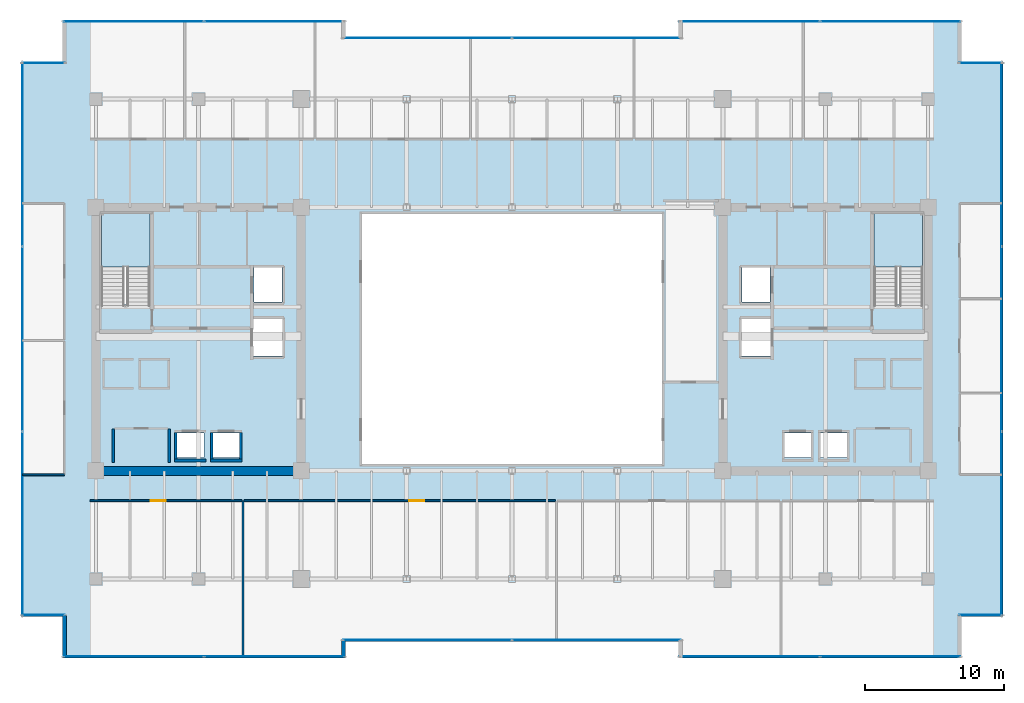
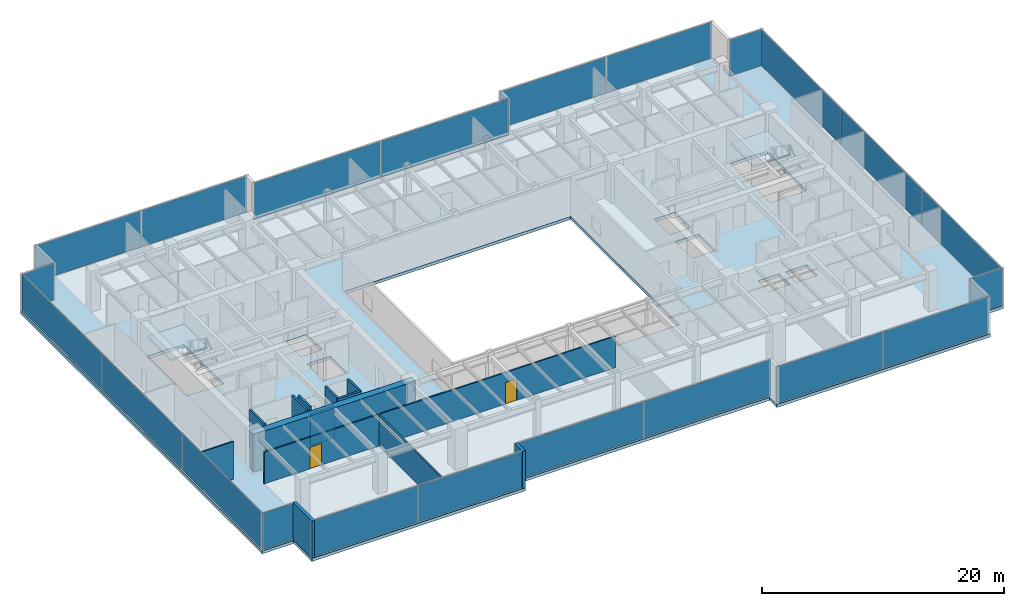
# One storey, part 24 of 33: 22 plates, 14 walls, 3 slabs, 2 doors, 2 openings, 14 elements without a shape of their own.
"""IFC4 building model written with IfcOpenShell, lengths in metres."""

from ifc_helpers import new_model, si_unit, direction, frame, frame_2d, origin, origin_2d, place, context, subcontext, project, spatial, polyline, rectangle, outline, extrude, source, transform, mapped, material, layer, layer_set, type_object, type_shapes, element, fill, aggregate, save


model = new_model("IFC4")

# Units and contexts
model_context = context("Model", 3, precision=1e-05, world=origin(), true_north=direction((0.0, 1.0)))
body_context = subcontext(model_context, "Body", "Model", "MODEL_VIEW")
ifc_project = project(units=[si_unit("LENGTHUNIT", "METRE"), si_unit("AREAUNIT", "SQUARE_METRE"), si_unit("VOLUMEUNIT", "CUBIC_METRE"), si_unit("PLANEANGLEUNIT", "RADIAN"), si_unit("MASSUNIT", "GRAM", prefix="KILO")], contexts=[model_context])

# Site, building, storey
site_placement = place(None, origin())
site = spatial("IfcSite", under=ifc_project, at=site_placement, CompositionType="ELEMENT")
building_placement = place(site_placement, origin())
building = spatial("IfcBuilding", under=site, at=building_placement, Name="Haelvirn Gate Laboratories", CompositionType="ELEMENT")
storey_placement = place(building_placement, frame((0.0, 0.0, 166.60009765625)))
storey = spatial("IfcBuildingStorey", under=building, at=storey_placement, Name="L40", CompositionType="ELEMENT", Elevation=166.60009765625)

# Stair, slab
ifc_material_1 = material(Name="Concrete C40/50", Category="concrete")
stair_type = type_object("IfcStairType", Name="ST-DOG-1650-R22", PredefinedType="HALF_TURN_STAIR", material=ifc_material_1)
stair_1_placement = place(storey_placement, origin())
stair_1 = element("IfcStair", 1, at=stair_1_placement, inside=storey, type_object=stair_type, Name="L40 Escape Stair ST1", PredefinedType="HALF_TURN_STAIR")
ifc_layer_1 = layer(ifc_material_1, 0.199951171875, Name="SL-STAIR-LND")
ifc_layer_set_1 = layer_set([ifc_layer_1], Name="Concrete C40/50")
slab_type_1 = type_object("IfcSlabType", Name="SL-STAIR-LND", PredefinedType="LANDING", material=ifc_layer_set_1)
slab_1_placement = place(storey_placement, frame((0.0, 0.0, 1.849853515625)))
slab_1 = element("IfcSlab", 2, at=slab_1_placement, type_object=slab_type_1, Name="ST1 landing 1", PredefinedType="LANDING", context=body_context, shape_type="SweptSolid", body=[
    extrude(outline(polyline([(11.300048828125, 29.5), (11.300048828125, 33.35009765625), (7.800048828125, 33.35009765625), (7.800048828125, 29.5), (11.300048828125, 29.5)])), origin(), (0.0, 0.0, 1.0), 0.199951171875),
])
aggregate(stair_1, [slab_1])

stair_2_placement = place(storey_placement, origin())
stair_2 = element("IfcStair", 3, at=stair_2_placement, inside=storey, type_object=stair_type, Name="L40 Escape Stair ST2", PredefinedType="HALF_TURN_STAIR")
slab_2_placement = place(storey_placement, frame((0.0, 0.0, 1.849853515625)))
slab_2 = element("IfcSlab", 4, at=slab_2_placement, type_object=slab_type_1, Name="ST2 landing 1", PredefinedType="LANDING", context=body_context, shape_type="SweptSolid", body=[
    extrude(outline(polyline([(67.0, 29.5), (67.0, 33.35009765625), (63.5, 33.35009765625), (63.5, 29.5), (67.0, 29.5)])), origin(), (0.0, 0.0, 1.0), 0.199951171875),
])
aggregate(stair_2, [slab_2])

# Slab
ifc_layer_2 = layer(ifc_material_1, 0.31005859375, Name="SL-Z2-310")
ifc_layer_set_2 = layer_set([ifc_layer_2], Name="Concrete C40/50")
slab_type_2 = type_object("IfcSlabType", Name="SL-Z2-310", PredefinedType="FLOOR", material=ifc_layer_set_2)
slab_3_placement = place(storey_placement, frame((0.0, 0.0, -0.31005859375)))
element("IfcSlab", 5, at=slab_3_placement, inside=storey, type_object=slab_type_2, Name="L40 Structural Slab MAIN", PredefinedType="FLOOR", context=body_context, shape_type="SweptSolid", body=[
    extrude(outline(polyline([(5.0, 1.300048828125), (25.39990234375, 1.300048828125), (25.39990234375, 2.5), (49.39990234375, 2.5), (49.39990234375, 1.300048828125), (69.800048828125, 1.300048828125), (69.800048828125, 4.300048828125), (72.800048828125, 4.300048828125), (72.800048828125, 44.300048828125), (69.800048828125, 44.300048828125), (69.800048828125, 47.300048828125), (49.39990234375, 47.300048828125), (49.39990234375, 46.10009765625), (25.39990234375, 46.10009765625), (25.39990234375, 47.300048828125), (5.0, 47.300048828125), (5.0, 44.300048828125), (2.0, 44.300048828125), (2.0, 4.300048828125), (5.0, 4.300048828125), (5.0, 1.300048828125)]), holes=[polyline([(26.60009765625, 15.300048828125), (48.199951171875, 15.300048828125), (48.199951171875, 33.300048828125), (26.60009765625, 33.300048828125), (26.60009765625, 15.300048828125)]), polyline([(11.300048828125, 26.780029296875), (11.300048828125, 33.35009765625), (7.800048828125, 33.35009765625), (7.800048828125, 26.780029296875), (11.300048828125, 26.780029296875)]), polyline([(67.0, 26.780029296875), (67.0, 33.35009765625), (63.5, 33.35009765625), (63.5, 26.780029296875), (67.0, 26.780029296875)]), polyline([(13.18994140625, 15.77001953125), (15.2099609375, 15.77001953125), (15.2099609375, 17.510009765625), (13.18994140625, 17.510009765625), (13.18994140625, 15.77001953125)]), polyline([(15.7900390625, 15.77001953125), (17.81005859375, 15.77001953125), (17.81005859375, 17.510009765625), (15.7900390625, 17.510009765625), (15.7900390625, 15.77001953125)]), polyline([(18.7900390625, 26.969970703125), (20.81005859375, 26.969970703125), (20.81005859375, 29.510009765625), (18.7900390625, 29.510009765625), (18.7900390625, 26.969970703125)]), polyline([(18.68994140625, 23.070068359375), (20.909912109375, 23.070068359375), (20.909912109375, 25.81005859375), (18.68994140625, 25.81005859375), (18.68994140625, 23.070068359375)]), polyline([(59.590087890625, 15.77001953125), (61.610107421875, 15.77001953125), (61.610107421875, 17.510009765625), (59.590087890625, 17.510009765625), (59.590087890625, 15.77001953125)]), polyline([(56.989990234375, 15.77001953125), (59.010009765625, 15.77001953125), (59.010009765625, 17.510009765625), (56.989990234375, 17.510009765625), (56.989990234375, 15.77001953125)]), polyline([(53.989990234375, 26.969970703125), (56.010009765625, 26.969970703125), (56.010009765625, 29.510009765625), (53.989990234375, 29.510009765625), (53.989990234375, 26.969970703125)]), polyline([(53.889892578125, 23.070068359375), (56.110107421875, 23.070068359375), (56.110107421875, 25.81005859375), (53.889892578125, 25.81005859375), (53.889892578125, 23.070068359375)])]), origin(), (0.0, 0.0, 1.0), 0.31005859375),
])

# Curtain wall, plates
ifc_material_2 = material(Name="Anodised bronze unitised aluminium & triple low-E glass", Category="aluminium")
ifc_layer_3 = layer(ifc_material_2, 0.179931640625, Name="CW-SYS-3")
ifc_layer_set_3 = layer_set([ifc_layer_3], Name="Anodised bronze unitised aluminium & triple low-E glass")
curtain_wall_type_1 = type_object("IfcCurtainWallType", Name="CW-SYS-3", PredefinedType="NOTDEFINED", material=ifc_layer_set_3)
curtain_wall_1_placement = place(storey_placement, origin())
curtain_wall_1 = element("IfcCurtainWall", 6, at=curtain_wall_1_placement, inside=storey, type_object=curtain_wall_type_1, Name="L40 Unitised Curtain Wall CW-L40-P0-E00-1", PredefinedType="NOTDEFINED")
ifc_material_3 = material(Name="High-selectivity bronze triple IGU 40 mm", Category="glass")
ifc_layer_4 = layer(ifc_material_3, 0.0400390625, Name="CWP-IGU-40")
ifc_layer_set_4 = layer_set([ifc_layer_4], Name="High-selectivity bronze triple IGU 40 mm")
plate_type_1 = type_object("IfcPlateType", Name="CWP-IGU-40", PredefinedType="CURTAIN_PANEL", material=ifc_layer_set_4)
shared_shape_1 = source(origin(), body_context, "Body", "SweptSolid", [
    extrude(rectangle(XDim=10.08740234375, YDim=0.0400390625, at=origin_2d()), origin(), (0.0, 0.0, 1.0), 3.659912109375),
])
plate_1_placement = place(storey_placement, frame((10.11865234375, 1.39990234375, 0.06494140625), z_axis=(0.0, 0.0, 1.0), x_axis=(1.0, 0.0, 0.0)))
plate_1 = element("IfcPlate", 7, at=plate_1_placement, type_object=plate_type_1, Name="CW3 panel 1.1", PredefinedType="CURTAIN_PANEL", context=body_context, shape_type="MappedRepresentation", body=[
    mapped(shared_shape_1, transform((0.0, 0.0, 0.0), scale=1.0)),
])
plate_2_placement = place(storey_placement, frame((20.28125, 1.39990234375, 0.06494140625), z_axis=(0.0, 0.0, 1.0), x_axis=(1.0, 0.0, 0.0)))
plate_2 = element("IfcPlate", 8, at=plate_2_placement, type_object=plate_type_1, Name="CW3 panel 2.1", PredefinedType="CURTAIN_PANEL", context=body_context, shape_type="MappedRepresentation", body=[
    mapped(shared_shape_1, transform((0.0, 0.0, 0.0), scale=1.0)),
])
aggregate(curtain_wall_1, [plate_1, plate_2])

curtain_wall_2_placement = place(storey_placement, origin())
curtain_wall_2 = element("IfcCurtainWall", 9, at=curtain_wall_2_placement, inside=storey, type_object=curtain_wall_type_1, Name="L40 Unitised Curtain Wall CW-L40-P0-E04-1", PredefinedType="NOTDEFINED")
plate_3_placement = place(storey_placement, frame((54.518798828125, 1.39990234375, 0.06494140625), z_axis=(0.0, 0.0, 1.0), x_axis=(1.0, 0.0, 0.0)))
plate_3 = element("IfcPlate", 10, at=plate_3_placement, type_object=plate_type_1, Name="CW3 panel 1.1", PredefinedType="CURTAIN_PANEL", context=body_context, shape_type="MappedRepresentation", body=[
    mapped(shared_shape_1, transform((0.0, 0.0, 0.0), scale=1.0)),
])
plate_4_placement = place(storey_placement, frame((64.68115234375, 1.39990234375, 0.06494140625), z_axis=(0.0, 0.0, 1.0), x_axis=(1.0, 0.0, 0.0)))
plate_4 = element("IfcPlate", 11, at=plate_4_placement, type_object=plate_type_1, Name="CW3 panel 2.1", PredefinedType="CURTAIN_PANEL", context=body_context, shape_type="MappedRepresentation", body=[
    mapped(shared_shape_1, transform((0.0, 0.0, 0.0), scale=1.0)),
])
aggregate(curtain_wall_2, [plate_3, plate_4])

curtain_wall_3_placement = place(storey_placement, origin())
curtain_wall_3 = element("IfcCurtainWall", 12, at=curtain_wall_3_placement, inside=storey, type_object=curtain_wall_type_1, Name="L40 Unitised Curtain Wall CW-L40-P0-E10-1", PredefinedType="NOTDEFINED")
plate_5_placement = place(storey_placement, frame((54.518798828125, 47.199951171875, 0.06494140625), z_axis=(0.0, 0.0, 1.0), x_axis=(1.0, 0.0, 0.0)))
plate_5 = element("IfcPlate", 13, at=plate_5_placement, type_object=plate_type_1, Name="CW3 panel 1.1", PredefinedType="CURTAIN_PANEL", context=body_context, shape_type="MappedRepresentation", body=[
    mapped(shared_shape_1, transform((0.0, 0.0, 0.0), scale=1.0)),
])
plate_6_placement = place(storey_placement, frame((64.68115234375, 47.199951171875, 0.06494140625), z_axis=(0.0, 0.0, 1.0), x_axis=(1.0, 0.0, 0.0)))
plate_6 = element("IfcPlate", 14, at=plate_6_placement, type_object=plate_type_1, Name="CW3 panel 2.1", PredefinedType="CURTAIN_PANEL", context=body_context, shape_type="MappedRepresentation", body=[
    mapped(shared_shape_1, transform((0.0, 0.0, 0.0), scale=1.0)),
])
aggregate(curtain_wall_3, [plate_5, plate_6])

curtain_wall_4_placement = place(storey_placement, origin())
curtain_wall_4 = element("IfcCurtainWall", 15, at=curtain_wall_4_placement, inside=storey, type_object=curtain_wall_type_1, Name="L40 Unitised Curtain Wall CW-L40-P0-E14-1", PredefinedType="NOTDEFINED")
plate_7_placement = place(storey_placement, frame((10.11865234375, 47.199951171875, 0.06494140625), z_axis=(0.0, 0.0, 1.0), x_axis=(1.0, 0.0, 0.0)))
plate_7 = element("IfcPlate", 16, at=plate_7_placement, type_object=plate_type_1, Name="CW3 panel 1.1", PredefinedType="CURTAIN_PANEL", context=body_context, shape_type="MappedRepresentation", body=[
    mapped(shared_shape_1, transform((0.0, 0.0, 0.0), scale=1.0)),
])
plate_8_placement = place(storey_placement, frame((20.28125, 47.199951171875, 0.06494140625), z_axis=(0.0, 0.0, 1.0), x_axis=(1.0, 0.0, 0.0)))
plate_8 = element("IfcPlate", 17, at=plate_8_placement, type_object=plate_type_1, Name="CW3 panel 2.1", PredefinedType="CURTAIN_PANEL", context=body_context, shape_type="MappedRepresentation", body=[
    mapped(shared_shape_1, transform((0.0, 0.0, 0.0), scale=1.0)),
])
aggregate(curtain_wall_4, [plate_7, plate_8])

curtain_wall_5_placement = place(storey_placement, origin())
curtain_wall_5 = element("IfcCurtainWall", 18, at=curtain_wall_5_placement, inside=storey, type_object=curtain_wall_type_1, Name="L40 Unitised Curtain Wall CW-L40-P0-E02-1", PredefinedType="NOTDEFINED")
shared_shape_2 = source(origin(), body_context, "Body", "SweptSolid", [
    extrude(rectangle(XDim=12.12744140625, YDim=0.0400390625, at=origin_2d()), origin(), (0.0, 0.0, 1.0), 3.659912109375),
])
plate_9_placement = place(storey_placement, frame((31.298828125, 2.60009765625, 0.06494140625), z_axis=(0.0, 0.0, 1.0), x_axis=(1.0, 0.0, 0.0)))
plate_9 = element("IfcPlate", 19, at=plate_9_placement, type_object=plate_type_1, Name="CW3 panel 1.1", PredefinedType="CURTAIN_PANEL", context=body_context, shape_type="MappedRepresentation", body=[
    mapped(shared_shape_2, transform((0.0, 0.0, 0.0), scale=1.0)),
])
plate_10_placement = place(storey_placement, frame((43.501220703125, 2.60009765625, 0.06494140625), z_axis=(0.0, 0.0, 1.0), x_axis=(1.0, 0.0, 0.0)))
plate_10 = element("IfcPlate", 20, at=plate_10_placement, type_object=plate_type_1, Name="CW3 panel 2.1", PredefinedType="CURTAIN_PANEL", context=body_context, shape_type="MappedRepresentation", body=[
    mapped(shared_shape_2, transform((0.0, 0.0, 0.0), scale=1.0)),
])
aggregate(curtain_wall_5, [plate_9, plate_10])

curtain_wall_6_placement = place(storey_placement, origin())
curtain_wall_6 = element("IfcCurtainWall", 21, at=curtain_wall_6_placement, inside=storey, type_object=curtain_wall_type_1, Name="L40 Unitised Curtain Wall CW-L40-P0-E12-1", PredefinedType="NOTDEFINED")
plate_11_placement = place(storey_placement, frame((31.298828125, 46.0, 0.06494140625), z_axis=(0.0, 0.0, 1.0), x_axis=(1.0, 0.0, 0.0)))
plate_11 = element("IfcPlate", 22, at=plate_11_placement, type_object=plate_type_1, Name="CW3 panel 1.1", PredefinedType="CURTAIN_PANEL", context=body_context, shape_type="MappedRepresentation", body=[
    mapped(shared_shape_2, transform((0.0, 0.0, 0.0), scale=1.0)),
])
plate_12_placement = place(storey_placement, frame((43.501220703125, 46.0, 0.06494140625), z_axis=(0.0, 0.0, 1.0), x_axis=(1.0, 0.0, 0.0)))
plate_12 = element("IfcPlate", 23, at=plate_12_placement, type_object=plate_type_1, Name="CW3 panel 2.1", PredefinedType="CURTAIN_PANEL", context=body_context, shape_type="MappedRepresentation", body=[
    mapped(shared_shape_2, transform((0.0, 0.0, 0.0), scale=1.0)),
])
aggregate(curtain_wall_6, [plate_11, plate_12])

# Curtain wall, plate
ifc_layer_5 = layer(ifc_material_2, 0.181884765625, Name="CW-SYS-5")
ifc_layer_set_5 = layer_set([ifc_layer_5], Name="Anodised bronze unitised aluminium & triple low-E glass")
curtain_wall_type_2 = type_object("IfcCurtainWallType", Name="CW-SYS-5", PredefinedType="NOTDEFINED", material=ifc_layer_set_5)
curtain_wall_7_placement = place(storey_placement, origin())
curtain_wall_7 = element("IfcCurtainWall", 24, at=curtain_wall_7_placement, inside=storey, type_object=curtain_wall_type_2, Name="L40 Unitised Curtain Wall CW-L40-P0-E06-1", PredefinedType="NOTDEFINED")
ifc_material_4 = material(Name="Clear low-iron notched-corner triple IGU 42 mm", Category="glass")
ifc_layer_6 = layer(ifc_material_4, 0.0419921875, Name="CWP-NTC-42")
ifc_layer_set_6 = layer_set([ifc_layer_6], Name="Clear low-iron notched-corner triple IGU 42 mm")
plate_type_2 = type_object("IfcPlateType", Name="CWP-NTC-42", PredefinedType="CURTAIN_PANEL", material=ifc_layer_set_6)
shared_shape_3 = source(origin(), body_context, "Body", "SweptSolid", [
    extrude(rectangle(XDim=3.080078125, YDim=0.0419921875, at=origin_2d()), origin(), (0.0, 0.0, 1.0), 3.659912109375),
])
type_shapes(plate_type_2, [shared_shape_3])
plate_13_placement = place(storey_placement, frame((71.179931640625, 4.39990234375, 0.06494140625), z_axis=(0.0, 0.0, 1.0), x_axis=(1.0, 0.0, 0.0)))
plate_13 = element("IfcPlate", 25, at=plate_13_placement, type_object=plate_type_2, Name="CW5 panel 1.1", PredefinedType="CURTAIN_PANEL", context=body_context, shape_type="MappedRepresentation", body=[
    mapped(shared_shape_3, transform((0.0, 0.0, 0.0), scale=1.0)),
])
aggregate(curtain_wall_7, [plate_13])

curtain_wall_8_placement = place(storey_placement, origin())
curtain_wall_8 = element("IfcCurtainWall", 26, at=curtain_wall_8_placement, inside=storey, type_object=curtain_wall_type_2, Name="L40 Unitised Curtain Wall CW-L40-P0-E08-1", PredefinedType="NOTDEFINED")
plate_14_placement = place(storey_placement, frame((71.179931640625, 44.199951171875, 0.06494140625), z_axis=(0.0, 0.0, 1.0), x_axis=(1.0, 0.0, 0.0)))
plate_14 = element("IfcPlate", 27, at=plate_14_placement, type_object=plate_type_2, Name="CW5 panel 1.1", PredefinedType="CURTAIN_PANEL", context=body_context, shape_type="MappedRepresentation", body=[
    mapped(shared_shape_3, transform((0.0, 0.0, 0.0), scale=1.0)),
])
aggregate(curtain_wall_8, [plate_14])

curtain_wall_9_placement = place(storey_placement, origin())
curtain_wall_9 = element("IfcCurtainWall", 28, at=curtain_wall_9_placement, inside=storey, type_object=curtain_wall_type_2, Name="L40 Unitised Curtain Wall CW-L40-P0-E16-1", PredefinedType="NOTDEFINED")
plate_15_placement = place(storey_placement, frame((3.6201171875, 44.199951171875, 0.06494140625), z_axis=(0.0, 0.0, 1.0), x_axis=(1.0, 0.0, 0.0)))
plate_15 = element("IfcPlate", 29, at=plate_15_placement, type_object=plate_type_2, Name="CW5 panel 1.1", PredefinedType="CURTAIN_PANEL", context=body_context, shape_type="MappedRepresentation", body=[
    mapped(shared_shape_3, transform((0.0, 0.0, 0.0), scale=1.0)),
])
aggregate(curtain_wall_9, [plate_15])

curtain_wall_10_placement = place(storey_placement, origin())
curtain_wall_10 = element("IfcCurtainWall", 30, at=curtain_wall_10_placement, inside=storey, type_object=curtain_wall_type_2, Name="L40 Unitised Curtain Wall CW-L40-P0-E18-1", PredefinedType="NOTDEFINED")
plate_16_placement = place(storey_placement, frame((3.6201171875, 4.39990234375, 0.06494140625), z_axis=(0.0, 0.0, 1.0), x_axis=(1.0, 0.0, 0.0)))
plate_16 = element("IfcPlate", 31, at=plate_16_placement, type_object=plate_type_2, Name="CW5 panel 1.1", PredefinedType="CURTAIN_PANEL", context=body_context, shape_type="MappedRepresentation", body=[
    mapped(shared_shape_3, transform((0.0, 0.0, 0.0), scale=1.0)),
])
aggregate(curtain_wall_10, [plate_16])

# Curtain wall, plates
curtain_wall_11_placement = place(storey_placement, origin())
curtain_wall_11 = element("IfcCurtainWall", 32, at=curtain_wall_11_placement, inside=storey, type_object=curtain_wall_type_1, Name="L40 Unitised Curtain Wall CW-L40-P0-E07", PredefinedType="NOTDEFINED")
shared_shape_4 = source(origin(), body_context, "Body", "SweptSolid", [
    extrude(rectangle(XDim=13.220947265625, YDim=0.0400390625, at=origin_2d()), origin(), (0.0, 0.0, 1.0), 3.659912109375),
])
plate_17_placement = place(storey_placement, frame((72.699951171875, 10.9853515625, 0.06494140625), z_axis=(0.0, 0.0, 1.0), x_axis=(0.0, 1.0, 0.0)))
plate_17 = element("IfcPlate", 33, at=plate_17_placement, type_object=plate_type_1, Name="CW3 panel 1.1", PredefinedType="CURTAIN_PANEL", context=body_context, shape_type="MappedRepresentation", body=[
    mapped(shared_shape_4, transform((0.0, 0.0, 0.0), scale=1.0)),
])
plate_18_placement = place(storey_placement, frame((72.699951171875, 37.614501953125, 0.06494140625), z_axis=(0.0, 0.0, 1.0), x_axis=(0.0, 1.0, 0.0)))
plate_18 = element("IfcPlate", 34, at=plate_18_placement, type_object=plate_type_1, Name="CW3 panel 3.1", PredefinedType="CURTAIN_PANEL", context=body_context, shape_type="MappedRepresentation", body=[
    mapped(shared_shape_4, transform((0.0, 0.0, 0.0), scale=1.0)),
])

curtain_wall_12_placement = place(storey_placement, origin())
curtain_wall_12 = element("IfcCurtainWall", 35, at=curtain_wall_12_placement, inside=storey, type_object=curtain_wall_type_1, Name="L40 Unitised Curtain Wall CW-L40-P0-E17", PredefinedType="NOTDEFINED")
plate_19_placement = place(storey_placement, frame((2.10009765625, 37.614501953125, 0.06494140625), z_axis=(0.0, 0.0, 1.0), x_axis=(0.0, -1.0, 0.0)))
plate_19 = element("IfcPlate", 36, at=plate_19_placement, type_object=plate_type_1, Name="CW3 panel 1.1", PredefinedType="CURTAIN_PANEL", context=body_context, shape_type="MappedRepresentation", body=[
    mapped(shared_shape_4, transform((0.0, 0.0, 0.0), scale=1.0)),
])
plate_20_placement = place(storey_placement, frame((2.10009765625, 10.9853515625, 0.06494140625), z_axis=(0.0, 0.0, 1.0), x_axis=(0.0, -1.0, 0.0)))
plate_20 = element("IfcPlate", 37, at=plate_20_placement, type_object=plate_type_1, Name="CW3 panel 3.1", PredefinedType="CURTAIN_PANEL", context=body_context, shape_type="MappedRepresentation", body=[
    mapped(shared_shape_4, transform((0.0, 0.0, 0.0), scale=1.0)),
])

# Plate
shared_shape_5 = source(origin(), body_context, "Body", "SweptSolid", [
    extrude(rectangle(XDim=13.25830078125, YDim=0.0400390625, at=origin_2d()), origin(), (0.0, 0.0, 1.0), 3.659912109375),
])
type_shapes(plate_type_1, [shared_shape_1, shared_shape_2, shared_shape_4, shared_shape_5])
plate_21_placement = place(storey_placement, frame((72.699951171875, 24.300048828125, 0.06494140625), z_axis=(0.0, 0.0, 1.0), x_axis=(0.0, 1.0, 0.0)))
plate_21 = element("IfcPlate", 38, at=plate_21_placement, type_object=plate_type_1, Name="CW3 panel 2.1", PredefinedType="CURTAIN_PANEL", context=body_context, shape_type="MappedRepresentation", body=[
    mapped(shared_shape_5, transform((0.0, 0.0, 0.0), scale=1.0)),
])

aggregate(curtain_wall_11, [plate_17, plate_21, plate_18])

plate_22_placement = place(storey_placement, frame((2.10009765625, 24.300048828125, 0.06494140625), z_axis=(0.0, 0.0, 1.0), x_axis=(0.0, -1.0, 0.0)))
plate_22 = element("IfcPlate", 39, at=plate_22_placement, type_object=plate_type_1, Name="CW3 panel 2.1", PredefinedType="CURTAIN_PANEL", context=body_context, shape_type="MappedRepresentation", body=[
    mapped(shared_shape_5, transform((0.0, 0.0, 0.0), scale=1.0)),
])

aggregate(curtain_wall_12, [plate_19, plate_22, plate_20])

# Walls
ifc_material_5 = material(Name="Thermally-broken bronze aluminium rainscreen & mineral wool", Category="aluminium")
ifc_layer_7 = layer(ifc_material_5, 0.280029296875, Name="EW-TERR-280")
ifc_layer_set_7 = layer_set([ifc_layer_7], Name="Thermally-broken bronze aluminium rainscreen & mineral wool")
wall_type_1 = type_object("IfcWallType", Name="EW-TERR-280", PredefinedType="STANDARD", material=ifc_layer_set_7)
wall_1_placement = place(storey_placement, frame((25.260009765625, 1.300048828125, 0.0), z_axis=(0.0, 0.0, 1.0), x_axis=(0.0, 1.0, 0.0)))
element("IfcWall", 40, at=wall_1_placement, inside=storey, type_object=wall_type_1, Name="L40 Atrium Recess Bronze Return Wall 01", PredefinedType="STANDARD", context=body_context, shape_type="SweptSolid", body=[
    extrude(rectangle(XDim=1.287841796875, YDim=0.280029296875, at=frame_2d((0.64404296875, 0.0))), origin(), (0.0, 0.0, 1.0), 3.789794921875),
])
wall_2_placement = place(storey_placement, frame((5.139892578125, 4.387939453125, 0.0), z_axis=(0.0, 0.0, 1.0), x_axis=(0.0, -1.0, 0.0)))
element("IfcWall", 41, at=wall_2_placement, inside=storey, type_object=wall_type_1, Name="L40 Atrium Recess Bronze Return Wall 19", PredefinedType="STANDARD", context=body_context, shape_type="SweptSolid", body=[
    extrude(rectangle(XDim=3.087890625, YDim=0.280029296875, at=frame_2d((1.5439453125, 0.0))), origin(), (0.0, 0.0, 1.0), 3.789794921875),
])
ifc_material_6 = material(Name="Double-layer acoustic gypsum laboratory partition", Category="gypsum")
ifc_layer_8 = layer(ifc_material_6, 0.159912109375, Name="IW-ACOUST-160")
ifc_layer_set_8 = layer_set([ifc_layer_8], Name="Double-layer acoustic gypsum laboratory partition")
wall_type_2 = type_object("IfcWallType", Name="IW-ACOUST-160", PredefinedType="PARTITIONING", material=ifc_layer_set_8)
wall_3_placement = place(storey_placement, frame((18.0, 1.409912109375, 0.0), z_axis=(0.0, 0.0, 1.0), x_axis=(0.0, 1.0, 0.0)))
element("IfcWall", 42, at=wall_3_placement, inside=storey, type_object=wall_type_2, Name="L40 Interior Wall IW-L40-SDIV-01", PredefinedType="PARTITIONING", context=body_context, shape_type="SweptSolid", body=[
    extrude(rectangle(XDim=11.22998046875, YDim=0.159912109375, at=frame_2d((5.614990234375, 0.0))), origin(), (0.0, 0.0, 1.0), 3.074951171875),
])
ifc_material_7 = material(Name="Lightweight acoustic gypsum board partition", Category="gypsum")
ifc_layer_9 = layer(ifc_material_7, 0.1201171875, Name="IW-PART-120")
ifc_layer_set_9 = layer_set([ifc_layer_9], Name="Lightweight acoustic gypsum board partition")
wall_type_3 = type_object("IfcWallType", Name="IW-PART-120", PredefinedType="PARTITIONING", material=ifc_layer_set_9)
wall_4_placement = place(storey_placement, frame((2.110107421875, 14.514892578125, 0.0), z_axis=(0.0, 0.0, 1.0), x_axis=(1.0, 0.0, 0.0)))
element("IfcWall", 43, at=wall_4_placement, inside=storey, type_object=wall_type_3, Name="L40 Interior Wall IW-L40-WCAP-S", PredefinedType="PARTITIONING", context=body_context, shape_type="SweptSolid", body=[
    extrude(rectangle(XDim=3.019775390625, YDim=0.1201171875, at=frame_2d((1.509765625, 0.0))), origin(), (0.0, 0.0, 1.0), 3.789794921875),
])

# Wall, opening, door
ifc_material_8 = material(Name="Acoustic mineral-wool gypsum board partition", Category="gypsum")
ifc_layer_10 = layer(ifc_material_8, 0.139892578125, Name="IW-PART-140")
ifc_layer_set_10 = layer_set([ifc_layer_10], Name="Acoustic mineral-wool gypsum board partition")
wall_type_4 = type_object("IfcWallType", Name="IW-PART-140", PredefinedType="PARTITIONING", material=ifc_layer_set_10)
wall_5_placement = place(storey_placement, frame((6.97998046875, 12.639892578125, 0.0), z_axis=(0.0, 0.0, 1.0), x_axis=(1.0, 0.0, 0.0)))
wall_5 = element("IfcWall", 44, at=wall_5_placement, inside=storey, type_object=wall_type_4, Name="L40 Interior Wall IW-L40-SCORR-01", PredefinedType="PARTITIONING", context=body_context, shape_type="SweptSolid", body=[
    extrude(rectangle(XDim=10.93994140625, YDim=0.139892578125, at=frame_2d((5.469970703125, 0.0))), origin(), (0.0, 0.0, 1.0), 3.18701171875),
])
opening_1_placement = place(wall_5_placement, frame((4.37158203125, 0.0, 0.0)))
opening_1 = element("IfcOpeningElement", 45, at=opening_1_placement, cuts=wall_5, Name="Opening D1", PredefinedType="OPENING", context=body_context, shape_type="SweptSolid", body=[
    extrude(rectangle(XDim=1.10009765625, YDim=2.179931640625, at=frame_2d((0.550048828125, 1.08984375))), frame((0.0, 0.080078125, 0.0), z_axis=(0.0, -1.0, 0.0), x_axis=(1.0, 0.0, 0.0)), (0.0, 0.0, 1.0), 0.159912109375),
])
ifc_material_9 = material(Name="Vision-panel acoustic solid-core timber lab door", Category="wood")
door_type = type_object("IfcDoorType", Name="DR-LAB-1100", OperationType="NOTDEFINED", PredefinedType="DOOR", material=ifc_material_9)
shared_shape_6 = source(origin(), body_context, "Body", "SweptSolid", [
    extrude(rectangle(XDim=1.10009765625, YDim=2.179931640625, at=frame_2d((0.550048828125, 1.08984375))), frame((0.0, 0.02490234375, 0.0), z_axis=(0.0, -1.0, 0.0), x_axis=(1.0, 0.0, 0.0)), (0.0, 0.0, 1.0), 0.050048828125),
])
type_shapes(door_type, [shared_shape_6])
door_1_placement = place(opening_1_placement, origin())
door_1 = element("IfcDoor", 46, at=door_1_placement, inside=storey, type_object=door_type, Name="L40 Translational Data Office Door S1", OperationType="SINGLE_SWING_LEFT", OverallHeight=2.179931640625, OverallWidth=1.10009765625, PredefinedType="DOOR", context=body_context, shape_type="MappedRepresentation", body=[
    mapped(shared_shape_6, transform((0.0, 0.0, 0.0), scale=1.0)),
])
fill(opening_1, door_1)

wall_6_placement = place(storey_placement, frame((18.080078125, 12.639892578125, 0.0), z_axis=(0.0, 0.0, 1.0), x_axis=(1.0, 0.0, 0.0)))
wall_6 = element("IfcWall", 47, at=wall_6_placement, inside=storey, type_object=wall_type_4, Name="L40 Interior Wall IW-L40-SCORR-02", PredefinedType="PARTITIONING", context=body_context, shape_type="SweptSolid", body=[
    extrude(rectangle(XDim=22.43994140625, YDim=0.139892578125, at=frame_2d((11.219970703125, 0.0))), origin(), (0.0, 0.0, 1.0), 3.18701171875),
])
opening_2_placement = place(wall_6_placement, frame((11.908447265625, 0.0, 0.0)))
opening_2 = element("IfcOpeningElement", 48, at=opening_2_placement, cuts=wall_6, Name="Opening D1", PredefinedType="OPENING", context=body_context, shape_type="SweptSolid", body=[
    extrude(rectangle(XDim=1.10009765625, YDim=2.179931640625, at=frame_2d((0.550048828125, 1.08984375))), frame((0.0, 0.080078125, 0.0), z_axis=(0.0, -1.0, 0.0), x_axis=(1.0, 0.0, 0.0)), (0.0, 0.0, 1.0), 0.159912109375),
])
door_2_placement = place(opening_2_placement, origin())
door_2 = element("IfcDoor", 49, at=door_2_placement, inside=storey, type_object=door_type, Name="L40 Computational Write-Up Office Door S2", OperationType="SINGLE_SWING_RIGHT", OverallHeight=2.179931640625, OverallWidth=1.10009765625, PredefinedType="DOOR", context=body_context, shape_type="MappedRepresentation", body=[
    mapped(shared_shape_6, transform((0.0, 0.0, 0.0), scale=1.0)),
])
fill(opening_2, door_2)

# Walls
ifc_layer_11 = layer(ifc_material_1, 0.179931640625, Name="IW-SHAFT-180")
ifc_layer_set_11 = layer_set([ifc_layer_11], Name="Concrete C40/50")
wall_type_5 = type_object("IfcWallType", Name="IW-SHAFT-180", PredefinedType="SOLIDWALL", material=ifc_layer_set_11)
for number, where, z_axis, x_axis, name in (
    (50, (13.14990234375, 15.64990234375, 0.0), (0.0, 0.0, 1.0), (0.0, 1.0, 0.0), "L40 Interior Wall IW-L40-PL5-SD"),
    (51, (15.75, 15.64990234375, 0.0), (0.0, 0.0, 1.0), (0.0, 1.0, 0.0), "L40 Interior Wall IW-L40-PL6-SD"),
    (52, (17.85009765625, 15.64990234375, 0.0), (0.0, 0.0, 1.0), (0.0, 1.0, 0.0), "L40 Interior Wall IW-L40-PL6-SDE"),
):
    element("IfcWall", number, at=place(storey_placement, frame(where, z_axis=z_axis, x_axis=x_axis)), inside=storey, type_object=wall_type_5, Name=name, PredefinedType="SOLIDWALL", context=body_context, shape_type="SweptSolid", body=[
        extrude(rectangle(XDim=1.900146484375, YDim=0.179931640625, at=frame_2d((0.9501953125, 0.0))), origin(), (0.0, 0.0, 1.0), 3.789794921875),
    ])
for number, where, z_axis, x_axis, name in (
    (53, (12.68994140625, 15.39990234375, 0.0), (0.0, 0.0, 1.0), (0.0, 1.0, 0.0), "L40 Interior Wall IW-L40-W-FREED-LE-1"),
    (54, (8.659912109375, 15.39990234375, 0.0), (0.0, 0.0, 1.0), (0.0, 1.0, 0.0), "L40 Interior Wall IW-L40-W-FREED-LW-1"),
):
    element("IfcWall", number, at=place(storey_placement, frame(where, z_axis=z_axis, x_axis=x_axis)), inside=storey, type_object=wall_type_5, Name=name, PredefinedType="SOLIDWALL", context=body_context, shape_type="SweptSolid", body=[
        extrude(rectangle(XDim=2.400146484375, YDim=0.179931640625, at=frame_2d((1.2001953125, 0.0))), origin(), (0.0, 0.0, 1.0), 3.789794921875),
    ])
ifc_layer_12 = layer(ifc_material_1, 0.199951171875, Name="IW-SHAFT-200")
ifc_layer_set_12 = layer_set([ifc_layer_12], Name="Concrete C40/50")
wall_type_6 = type_object("IfcWallType", Name="IW-SHAFT-200", PredefinedType="SOLIDWALL", material=ifc_layer_set_12)
wall_7_placement = place(storey_placement, frame((13.070068359375, 15.550048828125, 0.0), z_axis=(0.0, 0.0, 1.0), x_axis=(1.0, 0.0, 0.0)))
element("IfcWall", 55, at=wall_7_placement, inside=storey, type_object=wall_type_6, Name="L40 Interior Wall IW-L40-PL5-BK", PredefinedType="SOLIDWALL", context=body_context, shape_type="SweptSolid", body=[
    extrude(rectangle(XDim=2.260009765625, YDim=0.199951171875, at=frame_2d((1.1298828125, 0.0))), origin(), (0.0, 0.0, 1.0), 3.18701171875),
])
wall_8_placement = place(storey_placement, frame((15.669921875, 15.550048828125, 0.0), z_axis=(0.0, 0.0, 1.0), x_axis=(1.0, 0.0, 0.0)))
element("IfcWall", 56, at=wall_8_placement, inside=storey, type_object=wall_type_6, Name="L40 Interior Wall IW-L40-PL6-BK", PredefinedType="SOLIDWALL", context=body_context, shape_type="SweptSolid", body=[
    extrude(rectangle(XDim=2.260009765625, YDim=0.199951171875, at=frame_2d((1.1298828125, 0.0))), origin(), (0.0, 0.0, 1.0), 3.789794921875),
])
ifc_material_10 = material(Name="Concrete C60/75", Category="concrete")
ifc_layer_13 = layer(ifc_material_10, 0.64990234375, Name="SW-CORE-650")
ifc_layer_set_13 = layer_set([ifc_layer_13], Name="Concrete C60/75")
wall_type_7 = type_object("IfcWallType", Name="SW-CORE-650", PredefinedType="SHEAR", material=ifc_layer_set_13)
wall_9_placement = place(storey_placement, frame((7.074951171875, 14.800048828125, 0.0), z_axis=(0.0, 0.0, 1.0), x_axis=(1.0, 0.0, 0.0)))
element("IfcWall", 57, at=wall_9_placement, inside=storey, type_object=wall_type_7, Name="L40 W Core Shear Wall S", PredefinedType="SHEAR", context=body_context, shape_type="SweptSolid", body=[
    extrude(rectangle(XDim=15.449951171875, YDim=0.64990234375, at=frame_2d((7.72509765625, 0.0))), origin(), (0.0, 0.0, 1.0), 3.789794921875),
])

save(model, "model.ifc")
